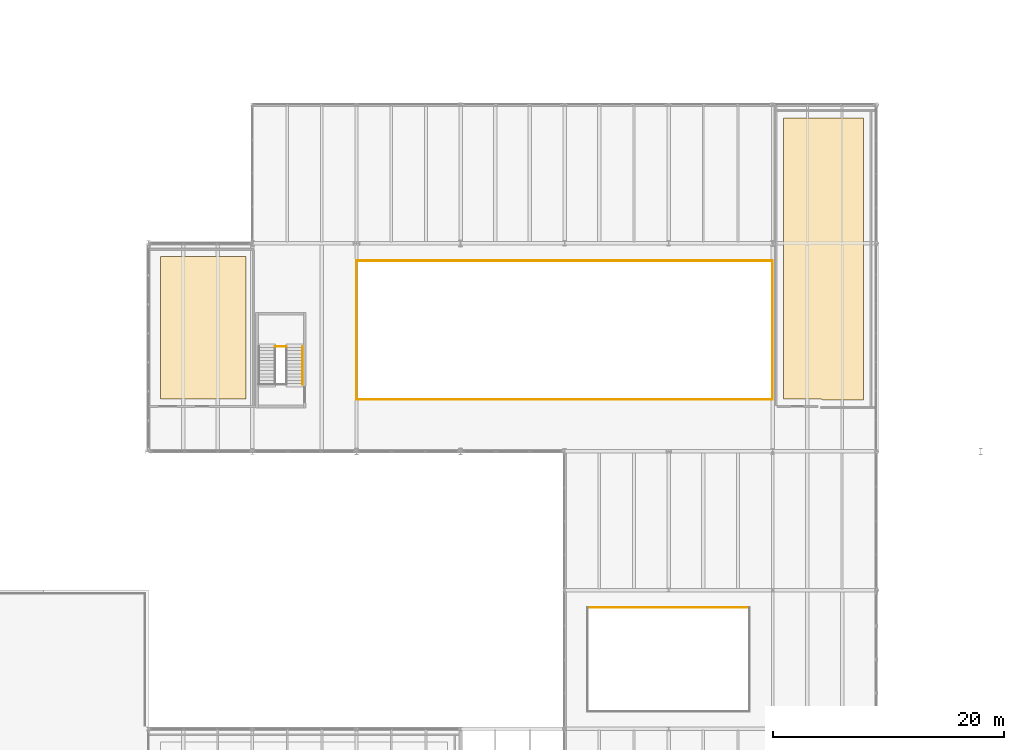
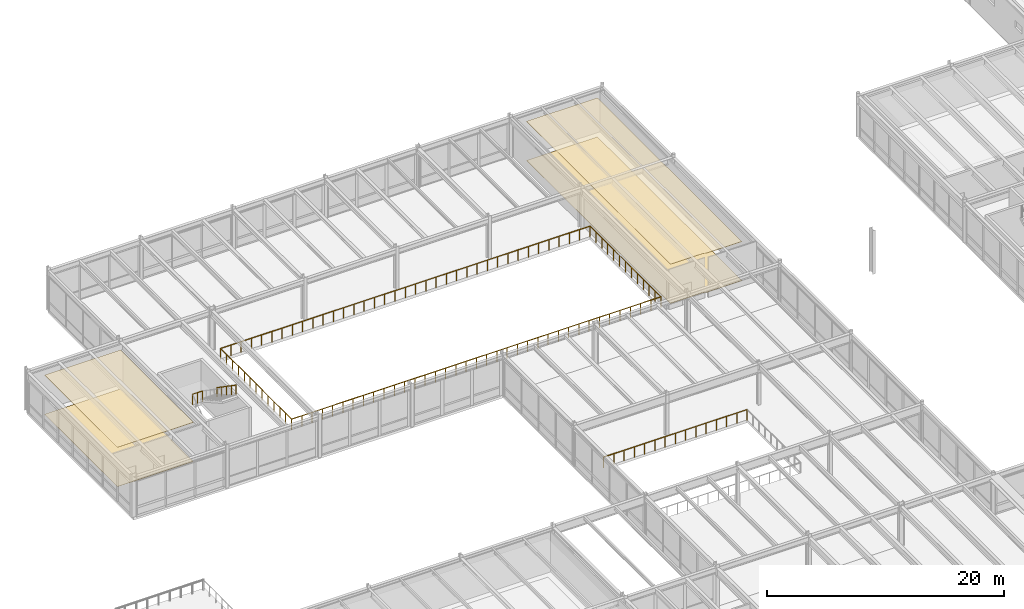
# One storey, part 124 of 127: 7 railings, 4 coverings.
"""IFC4 building model written with IfcOpenShell, lengths in metres."""

from ifc_helpers import new_model, si_unit, direction, frame, origin, origin_2d, place, context, subcontext, project, spatial, polyline, circle, outline, extrude, material, layer, layer_set, type_object, element, save


model = new_model("IFC4")

# Units and contexts
model_context = context("Model", 3, precision=1e-05, world=origin(), true_north=direction((0.0, 1.0)))
body_context = subcontext(model_context, "Body", "Model", "MODEL_VIEW")
ifc_project = project(units=[si_unit("LENGTHUNIT", "METRE"), si_unit("AREAUNIT", "SQUARE_METRE"), si_unit("VOLUMEUNIT", "CUBIC_METRE"), si_unit("PLANEANGLEUNIT", "RADIAN"), si_unit("MASSUNIT", "GRAM", prefix="KILO")], contexts=[model_context])

# Site, building, storey
site_placement = place(None, origin())
site = spatial("IfcSite", under=ifc_project, at=site_placement, CompositionType="ELEMENT")
building_placement = place(site_placement, origin())
building = spatial("IfcBuilding", under=site, at=building_placement, Name="Montelvaro Courts of Justice", CompositionType="ELEMENT")
storey_placement = place(building_placement, frame((0.0, 0.0, 5.39990234375)))
storey = spatial("IfcBuildingStorey", under=building, at=storey_placement, Name="L01", CompositionType="ELEMENT", Elevation=5.39990234375)

# Coverings
ifc_material_1 = material(Name="Perforated acoustic gypsum ceiling")
ifc_layer_1 = layer(ifc_material_1, 0.0400390625)
ifc_layer_set_1 = layer_set([ifc_layer_1], Name="Perforated acoustic gypsum ceiling")
covering_type_1 = type_object("IfcCoveringType", Name="AcousticCeiling_Court", PredefinedType="CEILING", material=ifc_layer_set_1)
covering_1_placement = place(storey_placement, frame((0.0, 0.0, 4.02001953125)))
element("IfcCovering", 1, at=covering_1_placement, inside=storey, type_object=covering_type_1, Name="Acoustic Ceiling Panel AC-01 (L01-15)", PredefinedType="CEILING", context=body_context, shape_type="SweptSolid", body=[
    extrude(outline(polyline([(19.050048828125, 94.85009765625), (26.449951171875, 94.85009765625), (26.449951171875, 82.550048828125), (19.050048828125, 82.550048828125), (19.050048828125, 94.85009765625)])), origin(), (0.0, 0.0, 1.0), 0.0400390625),
])
covering_2_placement = place(storey_placement, frame((0.0, 0.0, 4.02001953125)))
element("IfcCovering", 2, at=covering_2_placement, inside=storey, type_object=covering_type_1, Name="Acoustic Ceiling Panel AC-01 (L01-16)", PredefinedType="CEILING", context=body_context, shape_type="SweptSolid", body=[
    extrude(outline(polyline([(76.363037109375, 82.4560546875), (76.31103515625, 82.48193359375), (76.302001953125, 82.486083984375), (76.29296875, 82.489990234375), (76.23291015625, 82.512939453125), (76.169921875, 82.531005859375), (76.160888671875, 82.532958984375), (76.14697265625, 82.534912109375), (76.136962890625, 82.537109375), (76.073974609375, 82.547119140625), (76.010009765625, 82.550048828125), (72.949951171875, 82.550048828125), (72.949951171875, 106.85009765625), (79.85009765625, 106.85009765625), (79.85009765625, 82.449951171875), (76.3740234375, 82.449951171875), (76.3720703125, 82.450927734375), (76.363037109375, 82.4560546875)])), origin(), (0.0, 0.0, 1.0), 0.0400390625),
])

# Railings
ifc_material_2 = material(Name="Steel S355", Category="steel")
railing_type_1 = type_object("IfcRailingType", Name="InteriorGuard_1100", PredefinedType="BALUSTRADE", material=ifc_material_2)
railing_1_placement = place(storey_placement, frame((28.9599609375, 87.06494140625, 2.25)))
element("IfcRailing", 3, at=railing_1_placement, inside=storey, type_object=railing_type_1, Name="Stair Well Guard GR-02 ST-P1-L01-MLG", PredefinedType="BALUSTRADE", context=body_context, shape_type="SweptSolid", body=[
    extrude(circle(Radius=0.02392578125, at=origin_2d()), frame((0.0, 0.0, 1.076171875), z_axis=(1.0, 0.0, 0.0), x_axis=(0.0, 1.0, 0.0)), (0.0, 0.0, 1.0), 0.97998046875),
    extrude(circle(Radius=0.02099609375, at=origin_2d()), origin(), (0.0, 0.0, 1.0), 1.052001953125),
    extrude(circle(Radius=0.02099609375, at=origin_2d()), frame((0.489990234375, 0.0, 0.0)), (0.0, 0.0, 1.0), 1.052001953125),
    extrude(circle(Radius=0.02099609375, at=origin_2d()), frame((0.97998046875, 0.0, 0.0)), (0.0, 0.0, 1.0), 1.052001953125),
])
railing_2_placement = place(storey_placement, frame((36.0, 82.5, 0.0)))
element("IfcRailing", 4, at=railing_2_placement, inside=storey, type_object=railing_type_1, Name="Atrium Void Balustrade GR-02 (L01)", PredefinedType="BALUSTRADE", context=body_context, shape_type="SweptSolid", body=[
    extrude(circle(Radius=0.02392578125, at=origin_2d()), frame((0.0, 0.0, 1.076171875), z_axis=(1.0, 0.0, 0.0), x_axis=(0.0, 1.0, 0.0)), (0.0, 0.0, 1.0), 36.0),
    extrude(circle(Radius=0.02099609375, at=origin_2d()), origin(), (0.0, 0.0, 1.0), 1.052001953125),
    extrude(circle(Radius=0.02099609375, at=origin_2d()), frame((1.0, 0.0, 0.0)), (0.0, 0.0, 1.0), 1.052001953125),
    extrude(circle(Radius=0.02099609375, at=origin_2d()), frame((2.0, 0.0, 0.0)), (0.0, 0.0, 1.0), 1.052001953125),
    extrude(circle(Radius=0.02099609375, at=origin_2d()), frame((3.0, 0.0, 0.0)), (0.0, 0.0, 1.0), 1.052001953125),
    extrude(circle(Radius=0.02099609375, at=origin_2d()), frame((4.0, 0.0, 0.0)), (0.0, 0.0, 1.0), 1.052001953125),
    extrude(circle(Radius=0.02099609375, at=origin_2d()), frame((5.0, 0.0, 0.0)), (0.0, 0.0, 1.0), 1.052001953125),
    extrude(circle(Radius=0.02099609375, at=origin_2d()), frame((6.0, 0.0, 0.0)), (0.0, 0.0, 1.0), 1.052001953125),
    extrude(circle(Radius=0.02099609375, at=origin_2d()), frame((7.0, 0.0, 0.0)), (0.0, 0.0, 1.0), 1.052001953125),
    extrude(circle(Radius=0.02099609375, at=origin_2d()), frame((8.0, 0.0, 0.0)), (0.0, 0.0, 1.0), 1.052001953125),
    extrude(circle(Radius=0.02099609375, at=origin_2d()), frame((9.0, 0.0, 0.0)), (0.0, 0.0, 1.0), 1.052001953125),
    extrude(circle(Radius=0.02099609375, at=origin_2d()), frame((10.0, 0.0, 0.0)), (0.0, 0.0, 1.0), 1.052001953125),
    extrude(circle(Radius=0.02099609375, at=origin_2d()), frame((11.0, 0.0, 0.0)), (0.0, 0.0, 1.0), 1.052001953125),
    extrude(circle(Radius=0.02099609375, at=origin_2d()), frame((12.0, 0.0, 0.0)), (0.0, 0.0, 1.0), 1.052001953125),
    extrude(circle(Radius=0.02099609375, at=origin_2d()), frame((13.0, 0.0, 0.0)), (0.0, 0.0, 1.0), 1.052001953125),
    extrude(circle(Radius=0.02099609375, at=origin_2d()), frame((14.0, 0.0, 0.0)), (0.0, 0.0, 1.0), 1.052001953125),
    extrude(circle(Radius=0.02099609375, at=origin_2d()), frame((15.0, 0.0, 0.0)), (0.0, 0.0, 1.0), 1.052001953125),
    extrude(circle(Radius=0.02099609375, at=origin_2d()), frame((16.0, 0.0, 0.0)), (0.0, 0.0, 1.0), 1.052001953125),
    extrude(circle(Radius=0.02099609375, at=origin_2d()), frame((17.0, 0.0, 0.0)), (0.0, 0.0, 1.0), 1.052001953125),
    extrude(circle(Radius=0.02099609375, at=origin_2d()), frame((18.0, 0.0, 0.0)), (0.0, 0.0, 1.0), 1.052001953125),
    extrude(circle(Radius=0.02099609375, at=origin_2d()), frame((19.0, 0.0, 0.0)), (0.0, 0.0, 1.0), 1.052001953125),
    extrude(circle(Radius=0.02099609375, at=origin_2d()), frame((20.0, 0.0, 0.0)), (0.0, 0.0, 1.0), 1.052001953125),
    extrude(circle(Radius=0.02099609375, at=origin_2d()), frame((21.0, 0.0, 0.0)), (0.0, 0.0, 1.0), 1.052001953125),
    extrude(circle(Radius=0.02099609375, at=origin_2d()), frame((22.0, 0.0, 0.0)), (0.0, 0.0, 1.0), 1.052001953125),
    extrude(circle(Radius=0.02099609375, at=origin_2d()), frame((23.0, 0.0, 0.0)), (0.0, 0.0, 1.0), 1.052001953125),
    extrude(circle(Radius=0.02099609375, at=origin_2d()), frame((24.0, 0.0, 0.0)), (0.0, 0.0, 1.0), 1.052001953125),
    extrude(circle(Radius=0.02099609375, at=origin_2d()), frame((25.0, 0.0, 0.0)), (0.0, 0.0, 1.0), 1.052001953125),
    extrude(circle(Radius=0.02099609375, at=origin_2d()), frame((26.0, 0.0, 0.0)), (0.0, 0.0, 1.0), 1.052001953125),
    extrude(circle(Radius=0.02099609375, at=origin_2d()), frame((27.0, 0.0, 0.0)), (0.0, 0.0, 1.0), 1.052001953125),
    extrude(circle(Radius=0.02099609375, at=origin_2d()), frame((28.0, 0.0, 0.0)), (0.0, 0.0, 1.0), 1.052001953125),
    extrude(circle(Radius=0.02099609375, at=origin_2d()), frame((29.0, 0.0, 0.0)), (0.0, 0.0, 1.0), 1.052001953125),
    extrude(circle(Radius=0.02099609375, at=origin_2d()), frame((30.0, 0.0, 0.0)), (0.0, 0.0, 1.0), 1.052001953125),
    extrude(circle(Radius=0.02099609375, at=origin_2d()), frame((31.0, 0.0, 0.0)), (0.0, 0.0, 1.0), 1.052001953125),
    extrude(circle(Radius=0.02099609375, at=origin_2d()), frame((32.0, 0.0, 0.0)), (0.0, 0.0, 1.0), 1.052001953125),
    extrude(circle(Radius=0.02099609375, at=origin_2d()), frame((33.0, 0.0, 0.0)), (0.0, 0.0, 1.0), 1.052001953125),
    extrude(circle(Radius=0.02099609375, at=origin_2d()), frame((34.0, 0.0, 0.0)), (0.0, 0.0, 1.0), 1.052001953125),
    extrude(circle(Radius=0.02099609375, at=origin_2d()), frame((35.0, 0.0, 0.0)), (0.0, 0.0, 1.0), 1.052001953125),
    extrude(circle(Radius=0.02099609375, at=origin_2d()), frame((36.0, 0.0, 0.0)), (0.0, 0.0, 1.0), 1.052001953125),
])
railing_3_placement = place(storey_placement, frame((72.0, 82.5, 0.0)))
element("IfcRailing", 5, at=railing_3_placement, inside=storey, type_object=railing_type_1, Name="Atrium Void Balustrade GR-02 (L01)", PredefinedType="BALUSTRADE", context=body_context, shape_type="SweptSolid", body=[
    extrude(circle(Radius=0.02392578125, at=origin_2d()), frame((0.0, 0.0, 1.076171875), z_axis=(0.0, 1.0, 0.0), x_axis=(-1.0, 0.0, 0.0)), (0.0, 0.0, 1.0), 12.0),
    extrude(circle(Radius=0.02099609375, at=origin_2d()), origin(), (0.0, 0.0, 1.0), 1.052001953125),
    extrude(circle(Radius=0.02099609375, at=origin_2d()), frame((0.0, 1.0, 0.0)), (0.0, 0.0, 1.0), 1.052001953125),
    extrude(circle(Radius=0.02099609375, at=origin_2d()), frame((0.0, 2.0, 0.0)), (0.0, 0.0, 1.0), 1.052001953125),
    extrude(circle(Radius=0.02099609375, at=origin_2d()), frame((0.0, 3.0, 0.0)), (0.0, 0.0, 1.0), 1.052001953125),
    extrude(circle(Radius=0.02099609375, at=origin_2d()), frame((0.0, 4.0, 0.0)), (0.0, 0.0, 1.0), 1.052001953125),
    extrude(circle(Radius=0.02099609375, at=origin_2d()), frame((0.0, 5.0, 0.0)), (0.0, 0.0, 1.0), 1.052001953125),
    extrude(circle(Radius=0.02099609375, at=origin_2d()), frame((0.0, 6.0, 0.0)), (0.0, 0.0, 1.0), 1.052001953125),
    extrude(circle(Radius=0.02099609375, at=origin_2d()), frame((0.0, 7.0, 0.0)), (0.0, 0.0, 1.0), 1.052001953125),
    extrude(circle(Radius=0.02099609375, at=origin_2d()), frame((0.0, 8.0, 0.0)), (0.0, 0.0, 1.0), 1.052001953125),
    extrude(circle(Radius=0.02099609375, at=origin_2d()), frame((0.0, 9.0, 0.0)), (0.0, 0.0, 1.0), 1.052001953125),
    extrude(circle(Radius=0.02099609375, at=origin_2d()), frame((0.0, 10.0, 0.0)), (0.0, 0.0, 1.0), 1.052001953125),
    extrude(circle(Radius=0.02099609375, at=origin_2d()), frame((0.0, 11.0, 0.0)), (0.0, 0.0, 1.0), 1.052001953125),
    extrude(circle(Radius=0.02099609375, at=origin_2d()), frame((0.0, 12.0, 0.0)), (0.0, 0.0, 1.0), 1.052001953125),
])
railing_4_placement = place(storey_placement, frame((72.0, 94.5, 0.0)))
element("IfcRailing", 6, at=railing_4_placement, inside=storey, type_object=railing_type_1, Name="Atrium Void Balustrade GR-02 (L01)", PredefinedType="BALUSTRADE", context=body_context, shape_type="SweptSolid", body=[
    extrude(circle(Radius=0.02392578125, at=origin_2d()), frame((0.0, 0.0, 1.076171875), z_axis=(-1.0, 0.0, 0.0), x_axis=(0.0, -1.0, 0.0)), (0.0, 0.0, 1.0), 36.0),
    extrude(circle(Radius=0.02099609375, at=origin_2d()), origin(), (0.0, 0.0, 1.0), 1.052001953125),
    extrude(circle(Radius=0.02099609375, at=origin_2d()), frame((-1.0, 0.0, 0.0)), (0.0, 0.0, 1.0), 1.052001953125),
    extrude(circle(Radius=0.02099609375, at=origin_2d()), frame((-2.0, 0.0, 0.0)), (0.0, 0.0, 1.0), 1.052001953125),
    extrude(circle(Radius=0.02099609375, at=origin_2d()), frame((-3.0, 0.0, 0.0)), (0.0, 0.0, 1.0), 1.052001953125),
    extrude(circle(Radius=0.02099609375, at=origin_2d()), frame((-4.0, 0.0, 0.0)), (0.0, 0.0, 1.0), 1.052001953125),
    extrude(circle(Radius=0.02099609375, at=origin_2d()), frame((-5.0, 0.0, 0.0)), (0.0, 0.0, 1.0), 1.052001953125),
    extrude(circle(Radius=0.02099609375, at=origin_2d()), frame((-6.0, 0.0, 0.0)), (0.0, 0.0, 1.0), 1.052001953125),
    extrude(circle(Radius=0.02099609375, at=origin_2d()), frame((-7.0, 0.0, 0.0)), (0.0, 0.0, 1.0), 1.052001953125),
    extrude(circle(Radius=0.02099609375, at=origin_2d()), frame((-8.0, 0.0, 0.0)), (0.0, 0.0, 1.0), 1.052001953125),
    extrude(circle(Radius=0.02099609375, at=origin_2d()), frame((-9.0, 0.0, 0.0)), (0.0, 0.0, 1.0), 1.052001953125),
    extrude(circle(Radius=0.02099609375, at=origin_2d()), frame((-10.0, 0.0, 0.0)), (0.0, 0.0, 1.0), 1.052001953125),
    extrude(circle(Radius=0.02099609375, at=origin_2d()), frame((-11.0, 0.0, 0.0)), (0.0, 0.0, 1.0), 1.052001953125),
    extrude(circle(Radius=0.02099609375, at=origin_2d()), frame((-12.0, 0.0, 0.0)), (0.0, 0.0, 1.0), 1.052001953125),
    extrude(circle(Radius=0.02099609375, at=origin_2d()), frame((-13.0, 0.0, 0.0)), (0.0, 0.0, 1.0), 1.052001953125),
    extrude(circle(Radius=0.02099609375, at=origin_2d()), frame((-14.0, 0.0, 0.0)), (0.0, 0.0, 1.0), 1.052001953125),
    extrude(circle(Radius=0.02099609375, at=origin_2d()), frame((-15.0, 0.0, 0.0)), (0.0, 0.0, 1.0), 1.052001953125),
    extrude(circle(Radius=0.02099609375, at=origin_2d()), frame((-16.0, 0.0, 0.0)), (0.0, 0.0, 1.0), 1.052001953125),
    extrude(circle(Radius=0.02099609375, at=origin_2d()), frame((-17.0, 0.0, 0.0)), (0.0, 0.0, 1.0), 1.052001953125),
    extrude(circle(Radius=0.02099609375, at=origin_2d()), frame((-18.0, 0.0, 0.0)), (0.0, 0.0, 1.0), 1.052001953125),
    extrude(circle(Radius=0.02099609375, at=origin_2d()), frame((-19.0, 0.0, 0.0)), (0.0, 0.0, 1.0), 1.052001953125),
    extrude(circle(Radius=0.02099609375, at=origin_2d()), frame((-20.0, 0.0, 0.0)), (0.0, 0.0, 1.0), 1.052001953125),
    extrude(circle(Radius=0.02099609375, at=origin_2d()), frame((-21.0, 0.0, 0.0)), (0.0, 0.0, 1.0), 1.052001953125),
    extrude(circle(Radius=0.02099609375, at=origin_2d()), frame((-22.0, 0.0, 0.0)), (0.0, 0.0, 1.0), 1.052001953125),
    extrude(circle(Radius=0.02099609375, at=origin_2d()), frame((-23.0, 0.0, 0.0)), (0.0, 0.0, 1.0), 1.052001953125),
    extrude(circle(Radius=0.02099609375, at=origin_2d()), frame((-24.0, 0.0, 0.0)), (0.0, 0.0, 1.0), 1.052001953125),
    extrude(circle(Radius=0.02099609375, at=origin_2d()), frame((-25.0, 0.0, 0.0)), (0.0, 0.0, 1.0), 1.052001953125),
    extrude(circle(Radius=0.02099609375, at=origin_2d()), frame((-26.0, 0.0, 0.0)), (0.0, 0.0, 1.0), 1.052001953125),
    extrude(circle(Radius=0.02099609375, at=origin_2d()), frame((-27.0, 0.0, 0.0)), (0.0, 0.0, 1.0), 1.052001953125),
    extrude(circle(Radius=0.02099609375, at=origin_2d()), frame((-28.0, 0.0, 0.0)), (0.0, 0.0, 1.0), 1.052001953125),
    extrude(circle(Radius=0.02099609375, at=origin_2d()), frame((-29.0, 0.0, 0.0)), (0.0, 0.0, 1.0), 1.052001953125),
    extrude(circle(Radius=0.02099609375, at=origin_2d()), frame((-30.0, 0.0, 0.0)), (0.0, 0.0, 1.0), 1.052001953125),
    extrude(circle(Radius=0.02099609375, at=origin_2d()), frame((-31.0, 0.0, 0.0)), (0.0, 0.0, 1.0), 1.052001953125),
    extrude(circle(Radius=0.02099609375, at=origin_2d()), frame((-32.0, 0.0, 0.0)), (0.0, 0.0, 1.0), 1.052001953125),
    extrude(circle(Radius=0.02099609375, at=origin_2d()), frame((-33.0, 0.0, 0.0)), (0.0, 0.0, 1.0), 1.052001953125),
    extrude(circle(Radius=0.02099609375, at=origin_2d()), frame((-34.0, 0.0, 0.0)), (0.0, 0.0, 1.0), 1.052001953125),
    extrude(circle(Radius=0.02099609375, at=origin_2d()), frame((-35.0, 0.0, 0.0)), (0.0, 0.0, 1.0), 1.052001953125),
    extrude(circle(Radius=0.02099609375, at=origin_2d()), frame((-36.0, 0.0, 0.0)), (0.0, 0.0, 1.0), 1.052001953125),
])
railing_5_placement = place(storey_placement, frame((36.0, 94.5, 0.0)))
element("IfcRailing", 7, at=railing_5_placement, inside=storey, type_object=railing_type_1, Name="Atrium Void Balustrade GR-02 (L01)", PredefinedType="BALUSTRADE", context=body_context, shape_type="SweptSolid", body=[
    extrude(circle(Radius=0.02392578125, at=origin_2d()), frame((0.0, 0.0, 1.076171875), z_axis=(0.0, -1.0, 0.0), x_axis=(1.0, 0.0, 0.0)), (0.0, 0.0, 1.0), 12.0),
    extrude(circle(Radius=0.02099609375, at=origin_2d()), origin(), (0.0, 0.0, 1.0), 1.052001953125),
    extrude(circle(Radius=0.02099609375, at=origin_2d()), frame((0.0, -1.0, 0.0)), (0.0, 0.0, 1.0), 1.052001953125),
    extrude(circle(Radius=0.02099609375, at=origin_2d()), frame((0.0, -2.0, 0.0)), (0.0, 0.0, 1.0), 1.052001953125),
    extrude(circle(Radius=0.02099609375, at=origin_2d()), frame((0.0, -3.0, 0.0)), (0.0, 0.0, 1.0), 1.052001953125),
    extrude(circle(Radius=0.02099609375, at=origin_2d()), frame((0.0, -4.0, 0.0)), (0.0, 0.0, 1.0), 1.052001953125),
    extrude(circle(Radius=0.02099609375, at=origin_2d()), frame((0.0, -5.0, 0.0)), (0.0, 0.0, 1.0), 1.052001953125),
    extrude(circle(Radius=0.02099609375, at=origin_2d()), frame((0.0, -6.0, 0.0)), (0.0, 0.0, 1.0), 1.052001953125),
    extrude(circle(Radius=0.02099609375, at=origin_2d()), frame((0.0, -7.0, 0.0)), (0.0, 0.0, 1.0), 1.052001953125),
    extrude(circle(Radius=0.02099609375, at=origin_2d()), frame((0.0, -8.0, 0.0)), (0.0, 0.0, 1.0), 1.052001953125),
    extrude(circle(Radius=0.02099609375, at=origin_2d()), frame((0.0, -9.0, 0.0)), (0.0, 0.0, 1.0), 1.052001953125),
    extrude(circle(Radius=0.02099609375, at=origin_2d()), frame((0.0, -10.0, 0.0)), (0.0, 0.0, 1.0), 1.052001953125),
    extrude(circle(Radius=0.02099609375, at=origin_2d()), frame((0.0, -11.0, 0.0)), (0.0, 0.0, 1.0), 1.052001953125),
    extrude(circle(Radius=0.02099609375, at=origin_2d()), frame((0.0, -12.0, 0.0)), (0.0, 0.0, 1.0), 1.052001953125),
])
railing_6_placement = place(storey_placement, frame((70.0, 64.5, 0.0)))
element("IfcRailing", 8, at=railing_6_placement, inside=storey, type_object=railing_type_1, Name="Atrium Void Balustrade GR-02 (L01)", PredefinedType="BALUSTRADE", context=body_context, shape_type="SweptSolid", body=[
    extrude(circle(Radius=0.02392578125, at=origin_2d()), frame((0.0, 0.0, 1.076171875), z_axis=(-1.0, 0.0, 0.0), x_axis=(0.0, -1.0, 0.0)), (0.0, 0.0, 1.0), 14.0),
    extrude(circle(Radius=0.02099609375, at=origin_2d()), origin(), (0.0, 0.0, 1.0), 1.052001953125),
    extrude(circle(Radius=0.02099609375, at=origin_2d()), frame((-1.0, 0.0, 0.0)), (0.0, 0.0, 1.0), 1.052001953125),
    extrude(circle(Radius=0.02099609375, at=origin_2d()), frame((-2.0, 0.0, 0.0)), (0.0, 0.0, 1.0), 1.052001953125),
    extrude(circle(Radius=0.02099609375, at=origin_2d()), frame((-3.0, 0.0, 0.0)), (0.0, 0.0, 1.0), 1.052001953125),
    extrude(circle(Radius=0.02099609375, at=origin_2d()), frame((-4.0, 0.0, 0.0)), (0.0, 0.0, 1.0), 1.052001953125),
    extrude(circle(Radius=0.02099609375, at=origin_2d()), frame((-5.0, 0.0, 0.0)), (0.0, 0.0, 1.0), 1.052001953125),
    extrude(circle(Radius=0.02099609375, at=origin_2d()), frame((-6.0, 0.0, 0.0)), (0.0, 0.0, 1.0), 1.052001953125),
    extrude(circle(Radius=0.02099609375, at=origin_2d()), frame((-7.0, 0.0, 0.0)), (0.0, 0.0, 1.0), 1.052001953125),
    extrude(circle(Radius=0.02099609375, at=origin_2d()), frame((-8.0, 0.0, 0.0)), (0.0, 0.0, 1.0), 1.052001953125),
    extrude(circle(Radius=0.02099609375, at=origin_2d()), frame((-9.0, 0.0, 0.0)), (0.0, 0.0, 1.0), 1.052001953125),
    extrude(circle(Radius=0.02099609375, at=origin_2d()), frame((-10.0, 0.0, 0.0)), (0.0, 0.0, 1.0), 1.052001953125),
    extrude(circle(Radius=0.02099609375, at=origin_2d()), frame((-11.0, 0.0, 0.0)), (0.0, 0.0, 1.0), 1.052001953125),
    extrude(circle(Radius=0.02099609375, at=origin_2d()), frame((-12.0, 0.0, 0.0)), (0.0, 0.0, 1.0), 1.052001953125),
    extrude(circle(Radius=0.02099609375, at=origin_2d()), frame((-13.0, 0.0, 0.0)), (0.0, 0.0, 1.0), 1.052001953125),
    extrude(circle(Radius=0.02099609375, at=origin_2d()), frame((-14.0, 0.0, 0.0)), (0.0, 0.0, 1.0), 1.052001953125),
])

# Coverings
ifc_material_3 = material(Name="Alicante limestone judicial flooring", Category="masonry")
ifc_layer_2 = layer(ifc_material_3, 0.030029296875)
ifc_layer_set_2 = layer_set([ifc_layer_2], Name="Alicante limestone judicial flooring")
covering_type_2 = type_object("IfcCoveringType", Name="JudicialStoneFlooring", PredefinedType="FLOORING", material=ifc_layer_set_2)
covering_3_placement = place(storey_placement, origin())
element("IfcCovering", 9, at=covering_3_placement, inside=storey, type_object=covering_type_2, Name="Judicial Stone Flooring FLR-01 (L01-15)", PredefinedType="FLOORING", context=body_context, shape_type="SweptSolid", body=[
    extrude(outline(polyline([(19.050048828125, 94.85009765625), (26.449951171875, 94.85009765625), (26.449951171875, 82.550048828125), (19.050048828125, 82.550048828125), (19.050048828125, 94.85009765625)])), origin(), (0.0, 0.0, 1.0), 0.030029296875),
])
covering_4_placement = place(storey_placement, origin())
element("IfcCovering", 10, at=covering_4_placement, inside=storey, type_object=covering_type_2, Name="Judicial Stone Flooring FLR-01 (L01-16)", PredefinedType="FLOORING", context=body_context, shape_type="SweptSolid", body=[
    extrude(outline(polyline([(76.363037109375, 82.4560546875), (76.31103515625, 82.48193359375), (76.302001953125, 82.486083984375), (76.29296875, 82.489990234375), (76.23291015625, 82.512939453125), (76.169921875, 82.531005859375), (76.160888671875, 82.532958984375), (76.14697265625, 82.534912109375), (76.136962890625, 82.537109375), (76.073974609375, 82.547119140625), (76.010009765625, 82.550048828125), (72.949951171875, 82.550048828125), (72.949951171875, 106.85009765625), (79.85009765625, 106.85009765625), (79.85009765625, 82.449951171875), (76.3740234375, 82.449951171875), (76.3720703125, 82.450927734375), (76.363037109375, 82.4560546875)])), origin(), (0.0, 0.0, 1.0), 0.030029296875),
])

# Railing
ifc_material_4 = material(Name="Austenitic stainless steel EN 1.4401", Category="steel")
railing_type_2 = type_object("IfcRailingType", Name="StairHandrail_950", PredefinedType="HANDRAIL", material=ifc_material_4)
railing_7_placement = place(storey_placement, frame((31.340087890625, 87.06494140625, 2.25)))
element("IfcRailing", 11, at=railing_7_placement, inside=storey, type_object=railing_type_2, Name="Stair Pitch Handrail HR-01 ST-P1-L01-F2H", PredefinedType="HANDRAIL", context=body_context, shape_type="SweptSolid", body=[
    extrude(circle(Radius=0.02392578125, at=origin_2d()), frame((0.0, 0.0, 0.92578125), z_axis=(0.0, -0.823407228882, 0.567450910146), x_axis=(1.0, 0.0, 0.0)), (0.0, 0.0, 1.0), 3.965087890625),
    extrude(circle(Radius=0.02099609375, at=origin_2d()), origin(), (0.0, 0.0, 1.0), 0.90185546875),
    extrude(circle(Radius=0.02099609375, at=origin_2d()), frame((0.0, -0.816162109375, 0.5625)), (0.0, 0.0, 1.0), 0.90185546875),
    extrude(circle(Radius=0.02099609375, at=origin_2d()), frame((0.0, -1.63232421875, 1.125)), (0.0, 0.0, 1.0), 0.90185546875),
    extrude(circle(Radius=0.02099609375, at=origin_2d()), frame((0.0, -2.44873046875, 1.6875)), (0.0, 0.0, 1.0), 0.90185546875),
    extrude(circle(Radius=0.02099609375, at=origin_2d()), frame((0.0, -3.264892578125, 2.25)), (0.0, 0.0, 1.0), 0.90185546875),
])

save(model, "model.ifc")
